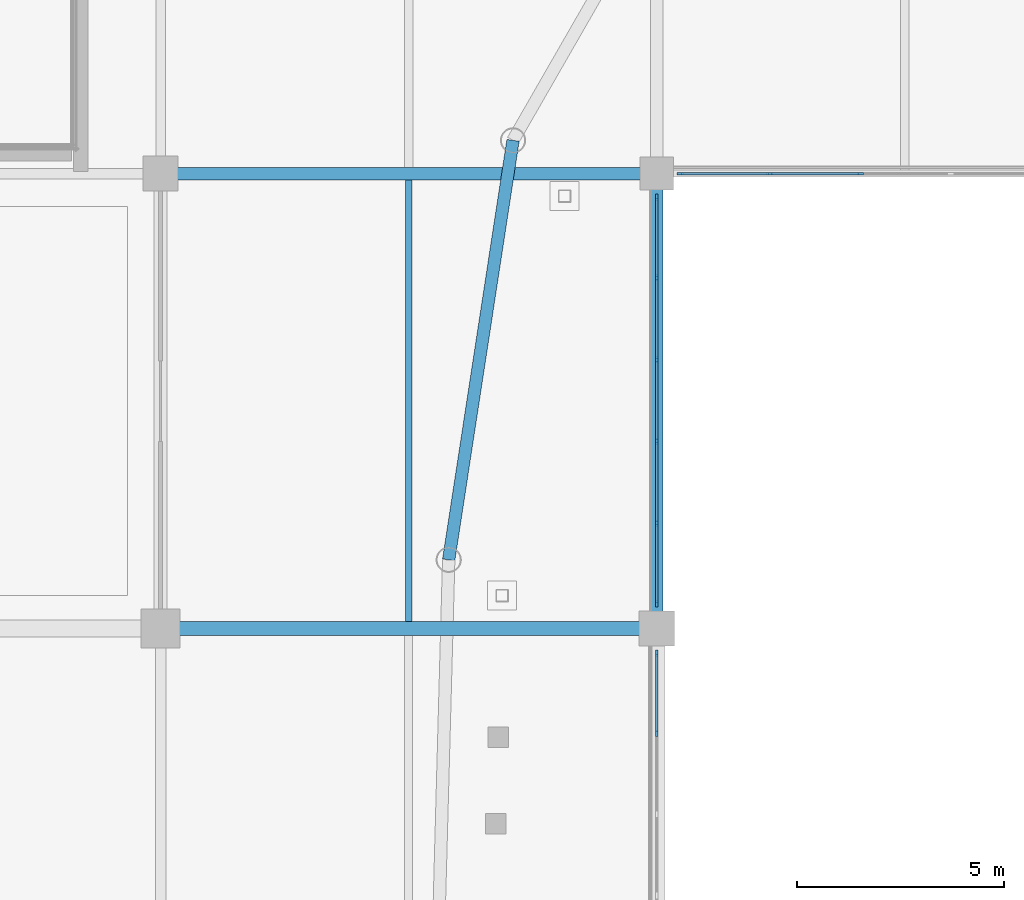
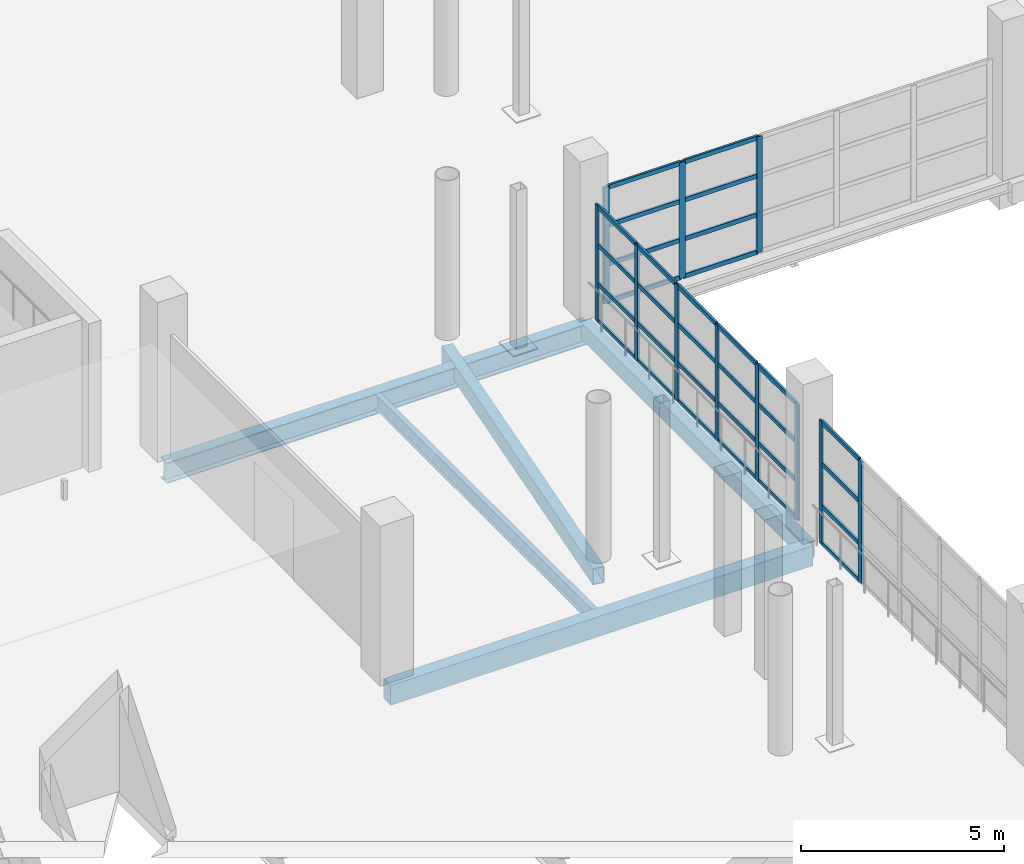
# One storey, part 41 of 143: 43 members, 5 beams, 3 elements without a shape of their own.
"""IFC4 building model written with IfcOpenShell, lengths in metres."""

from ifc_helpers import new_model, si_unit, direction, frame, origin, origin_2d, place, context, subcontext, project, spatial, rectangle, hollow_rectangle, i_section, extrude, material, material_profile, profile_set, type_object, element, aggregate, save


model = new_model("IFC4")

# Units and contexts
model_context = context("Model", 3, precision=1e-05, world=origin(), true_north=direction((0.0, 1.0)))
body_context = subcontext(model_context, "Body", "Model", "MODEL_VIEW")
ifc_project = project(units=[si_unit("LENGTHUNIT", "METRE"), si_unit("AREAUNIT", "SQUARE_METRE"), si_unit("VOLUMEUNIT", "CUBIC_METRE"), si_unit("PLANEANGLEUNIT", "RADIAN"), si_unit("MASSUNIT", "GRAM", prefix="KILO")], contexts=[model_context])

# Site, building, storey
site_placement = place(None, origin())
site = spatial("IfcSite", under=ifc_project, at=site_placement, CompositionType="ELEMENT")
building_placement = place(site_placement, origin())
building = spatial("IfcBuilding", under=site, at=building_placement, Name="Luwafu Chhajja Arena", CompositionType="ELEMENT")
storey_placement = place(building_placement, frame((0.0, 0.0, 5.39990234375)))
storey = spatial("IfcBuildingStorey", under=building, at=storey_placement, Name="L01", CompositionType="ELEMENT", Elevation=5.39990234375)

# Beam
ifc_material_1 = material(Name="Concrete C35/45", Category="concrete")
ifc_material_profile_1 = material_profile(ifc_material_1, rectangle(XDim=0.35009765625, YDim=0.60009765625, at=origin_2d()), Name="RC 350x600")
ifc_profile_set_1 = profile_set([ifc_material_profile_1], Name="Concrete C35/45")
beam_type_1 = type_object("IfcBeamType", Name="Arcade Tie Beam RC 350x600", PredefinedType="BEAM", material=ifc_profile_set_1)
beam_1_placement = place(storey_placement, frame((46.0, 66.0, -0.6298828125), z_axis=(1.0, 0.0, 0.0), x_axis=(0.0, 1.0, 0.0)))
element("IfcBeam", 1, at=beam_1_placement, inside=storey, type_object=beam_type_1, Name="L01 Grid Beam 5-6/G", PredefinedType="BEAM", context=body_context, shape_type="SweptSolid", body=[
    extrude(rectangle(XDim=0.35009765625, YDim=0.60009765625, at=origin_2d()), origin(), (0.0, 0.0, 1.0), 12.0),
])

# Curtain wall, members
ifc_material_2 = material(Name="Anodised bronze aluminium", Category="aluminium")
curtain_wall_type = type_object("IfcCurtainWallType", Name="Bowl Concourse Chord Curtain Wall", PredefinedType="USERDEFINED", material=ifc_material_2)
curtain_wall_1_placement = place(storey_placement, origin())
curtain_wall_1 = element("IfcCurtainWall", 2, at=curtain_wall_1_placement, inside=storey, type_object=curtain_wall_type, Name="L01 Bowl Viewing Curtain Wall CWR-L01-08", ObjectType="CURTAIN WALL", PredefinedType="USERDEFINED")
ifc_material_profile_2 = material_profile(ifc_material_2, rectangle(XDim=0.06005859375, YDim=0.159912109375, at=origin_2d()), Name="CWM 60x160")
ifc_profile_set_2 = profile_set([ifc_material_profile_2], Name="Anodised bronze aluminium")
member_type_1 = type_object("IfcMemberType", Name="Bronze Curtain Wall Mullion 60x160", PredefinedType="MULLION", material=ifc_profile_set_2)
member_1_placement = place(storey_placement, frame((58.570068359375, 77.0, 0.0), z_axis=(0.0, 0.0, 1.0), x_axis=(0.0, 1.0, 0.0)))
member_1 = element("IfcMember", 3, at=member_1_placement, type_object=member_type_1, Name="CW-01 mullion 1", PredefinedType="MULLION", context=body_context, shape_type="SweptSolid", body=[
    extrude(rectangle(XDim=0.06005859375, YDim=0.159912109375, at=origin_2d()), origin(), (0.0, 0.0, 1.0), 3.489990234375),
])
member_2_placement = place(storey_placement, frame((60.72900390625, 77.0, 0.0), z_axis=(0.0, 0.0, 1.0), x_axis=(0.0, 1.0, 0.0)))
member_2 = element("IfcMember", 4, at=member_2_placement, type_object=member_type_1, Name="CW-01 mullion 2", PredefinedType="MULLION", context=body_context, shape_type="SweptSolid", body=[
    extrude(rectangle(XDim=0.06005859375, YDim=0.159912109375, at=origin_2d()), origin(), (0.0, 0.0, 1.0), 3.489990234375),
])
member_3_placement = place(storey_placement, frame((62.91796875, 77.0, 0.0), z_axis=(0.0, 0.0, 1.0), x_axis=(0.0, 1.0, 0.0)))
member_3 = element("IfcMember", 5, at=member_3_placement, type_object=member_type_1, Name="CW-01 mullion 3", PredefinedType="MULLION", context=body_context, shape_type="SweptSolid", body=[
    extrude(rectangle(XDim=0.06005859375, YDim=0.159912109375, at=origin_2d()), origin(), (0.0, 0.0, 1.0), 3.489990234375),
])

curtain_wall_2_placement = place(storey_placement, origin())
curtain_wall_2 = element("IfcCurtainWall", 6, at=curtain_wall_2_placement, inside=storey, type_object=curtain_wall_type, Name="L01 Bowl Viewing Curtain Wall CWR-L01-18", ObjectType="CURTAIN WALL", PredefinedType="USERDEFINED")
member_4_placement = place(storey_placement, frame((58.0, 63.470947265625, 0.0), z_axis=(0.0, 0.0, 1.0), x_axis=(-1.0, 0.0, 0.0)))
member_4 = element("IfcMember", 7, at=member_4_placement, type_object=member_type_1, Name="CW-01 mullion 5", PredefinedType="MULLION", context=body_context, shape_type="SweptSolid", body=[
    extrude(rectangle(XDim=0.06005859375, YDim=0.159912109375, at=origin_2d()), origin(), (0.0, 0.0, 1.0), 3.690185546875),
])
member_5_placement = place(storey_placement, frame((58.0, 65.405029296875, 0.0), z_axis=(0.0, 0.0, 1.0), x_axis=(-1.0, 0.0, 0.0)))
member_5 = element("IfcMember", 8, at=member_5_placement, type_object=member_type_1, Name="CW-01 mullion 6", PredefinedType="MULLION", context=body_context, shape_type="SweptSolid", body=[
    extrude(rectangle(XDim=0.06005859375, YDim=0.159912109375, at=origin_2d()), origin(), (0.0, 0.0, 1.0), 3.690185546875),
])

curtain_wall_3_placement = place(storey_placement, origin())
curtain_wall_3 = element("IfcCurtainWall", 9, at=curtain_wall_3_placement, inside=storey, type_object=curtain_wall_type, Name="L01 Bowl Viewing Curtain Wall CWR-L01-19", ObjectType="CURTAIN WALL", PredefinedType="USERDEFINED")
member_6_placement = place(storey_placement, frame((58.0, 66.594970703125, 0.0), z_axis=(0.0, 0.0, 1.0), x_axis=(-1.0, 0.0, 0.0)))
member_6 = element("IfcMember", 10, at=member_6_placement, type_object=member_type_1, Name="CW-01 mullion 1", PredefinedType="MULLION", context=body_context, shape_type="SweptSolid", body=[
    extrude(rectangle(XDim=0.06005859375, YDim=0.159912109375, at=origin_2d()), origin(), (0.0, 0.0, 1.0), 3.489990234375),
])
member_7_placement = place(storey_placement, frame((58.0, 68.5439453125, 0.0), z_axis=(0.0, 0.0, 1.0), x_axis=(-1.0, 0.0, 0.0)))
member_7 = element("IfcMember", 11, at=member_7_placement, type_object=member_type_1, Name="CW-01 mullion 2", PredefinedType="MULLION", context=body_context, shape_type="SweptSolid", body=[
    extrude(rectangle(XDim=0.06005859375, YDim=0.159912109375, at=origin_2d()), origin(), (0.0, 0.0, 1.0), 3.489990234375),
])
member_8_placement = place(storey_placement, frame((58.0, 70.52294921875, 0.0), z_axis=(0.0, 0.0, 1.0), x_axis=(-1.0, 0.0, 0.0)))
member_8 = element("IfcMember", 12, at=member_8_placement, type_object=member_type_1, Name="CW-01 mullion 3", PredefinedType="MULLION", context=body_context, shape_type="SweptSolid", body=[
    extrude(rectangle(XDim=0.06005859375, YDim=0.159912109375, at=origin_2d()), origin(), (0.0, 0.0, 1.0), 3.489990234375),
])
member_9_placement = place(storey_placement, frame((58.0, 72.501953125, 0.0), z_axis=(0.0, 0.0, 1.0), x_axis=(-1.0, 0.0, 0.0)))
member_9 = element("IfcMember", 13, at=member_9_placement, type_object=member_type_1, Name="CW-01 mullion 4", PredefinedType="MULLION", context=body_context, shape_type="SweptSolid", body=[
    extrude(rectangle(XDim=0.06005859375, YDim=0.159912109375, at=origin_2d()), origin(), (0.0, 0.0, 1.0), 3.489990234375),
])
member_10_placement = place(storey_placement, frame((58.0, 74.48095703125, 0.0), z_axis=(0.0, 0.0, 1.0), x_axis=(-1.0, 0.0, 0.0)))
member_10 = element("IfcMember", 14, at=member_10_placement, type_object=member_type_1, Name="CW-01 mullion 5", PredefinedType="MULLION", context=body_context, shape_type="SweptSolid", body=[
    extrude(rectangle(XDim=0.06005859375, YDim=0.159912109375, at=origin_2d()), origin(), (0.0, 0.0, 1.0), 3.489990234375),
])
member_11_placement = place(storey_placement, frame((58.0, 76.429931640625, 0.0), z_axis=(0.0, 0.0, 1.0), x_axis=(-1.0, 0.0, 0.0)))
member_11 = element("IfcMember", 15, at=member_11_placement, type_object=member_type_1, Name="CW-01 mullion 6", PredefinedType="MULLION", context=body_context, shape_type="SweptSolid", body=[
    extrude(rectangle(XDim=0.06005859375, YDim=0.159912109375, at=origin_2d()), origin(), (0.0, 0.0, 1.0), 3.489990234375),
])

# Member
ifc_material_profile_3 = material_profile(ifc_material_2, rectangle(XDim=0.06005859375, YDim=0.1298828125, at=origin_2d()), Name="CWT 60x130")
ifc_profile_set_3 = profile_set([ifc_material_profile_3], Name="Anodised bronze aluminium")
member_type_2 = type_object("IfcMemberType", Name="Bronze Curtain Wall Transom 60x130", PredefinedType="USERDEFINED", material=ifc_profile_set_3)
member_12_placement = place(storey_placement, frame((58.60009765625, 77.0, 0.030029296875), z_axis=(1.0, 0.0, 0.0), x_axis=(0.0, 1.0, 0.0)))
member_12 = element("IfcMember", 16, at=member_12_placement, type_object=member_type_2, Name="CW-01 transom 1.1", ObjectType="TRANSOM", PredefinedType="USERDEFINED", context=body_context, shape_type="SweptSolid", body=[
    extrude(rectangle(XDim=0.06005859375, YDim=0.1298828125, at=origin_2d()), origin(), (0.0, 0.0, 1.0), 2.098876953125),
])

member_13_placement = place(storey_placement, frame((58.60009765625, 77.0, 1.150146484375), z_axis=(1.0, 0.0, 0.0), x_axis=(0.0, 1.0, 0.0)))
member_13 = element("IfcMember", 17, at=member_13_placement, type_object=member_type_2, Name="CW-01 transom 1.2", ObjectType="TRANSOM", PredefinedType="USERDEFINED", context=body_context, shape_type="SweptSolid", body=[
    extrude(rectangle(XDim=0.06005859375, YDim=0.1298828125, at=origin_2d()), origin(), (0.0, 0.0, 1.0), 2.098876953125),
])

member_14_placement = place(storey_placement, frame((58.60009765625, 77.0, 2.320068359375), z_axis=(1.0, 0.0, 0.0), x_axis=(0.0, 1.0, 0.0)))
member_14 = element("IfcMember", 18, at=member_14_placement, type_object=member_type_2, Name="CW-01 transom 1.3", ObjectType="TRANSOM", PredefinedType="USERDEFINED", context=body_context, shape_type="SweptSolid", body=[
    extrude(rectangle(XDim=0.06005859375, YDim=0.1298828125, at=origin_2d()), origin(), (0.0, 0.0, 1.0), 2.098876953125),
])

member_15_placement = place(storey_placement, frame((58.60009765625, 77.0, 3.460205078125), z_axis=(1.0, 0.0, 0.0), x_axis=(0.0, 1.0, 0.0)))
member_15 = element("IfcMember", 19, at=member_15_placement, type_object=member_type_2, Name="CW-01 transom 1.4", ObjectType="TRANSOM", PredefinedType="USERDEFINED", context=body_context, shape_type="SweptSolid", body=[
    extrude(rectangle(XDim=0.06005859375, YDim=0.1298828125, at=origin_2d()), origin(), (0.0, 0.0, 1.0), 2.098876953125),
])

member_16_placement = place(storey_placement, frame((60.759033203125, 77.0, 0.030029296875), z_axis=(1.0, 0.0, 0.0), x_axis=(0.0, 1.0, 0.0)))
member_16 = element("IfcMember", 20, at=member_16_placement, type_object=member_type_2, Name="CW-01 transom 2.1", ObjectType="TRANSOM", PredefinedType="USERDEFINED", context=body_context, shape_type="SweptSolid", body=[
    extrude(rectangle(XDim=0.06005859375, YDim=0.1298828125, at=origin_2d()), origin(), (0.0, 0.0, 1.0), 2.12890625),
])

member_17_placement = place(storey_placement, frame((60.759033203125, 77.0, 1.150146484375), z_axis=(1.0, 0.0, 0.0), x_axis=(0.0, 1.0, 0.0)))
member_17 = element("IfcMember", 21, at=member_17_placement, type_object=member_type_2, Name="CW-01 transom 2.2", ObjectType="TRANSOM", PredefinedType="USERDEFINED", context=body_context, shape_type="SweptSolid", body=[
    extrude(rectangle(XDim=0.06005859375, YDim=0.1298828125, at=origin_2d()), origin(), (0.0, 0.0, 1.0), 2.12890625),
])

member_18_placement = place(storey_placement, frame((60.759033203125, 77.0, 2.320068359375), z_axis=(1.0, 0.0, 0.0), x_axis=(0.0, 1.0, 0.0)))
member_18 = element("IfcMember", 22, at=member_18_placement, type_object=member_type_2, Name="CW-01 transom 2.3", ObjectType="TRANSOM", PredefinedType="USERDEFINED", context=body_context, shape_type="SweptSolid", body=[
    extrude(rectangle(XDim=0.06005859375, YDim=0.1298828125, at=origin_2d()), origin(), (0.0, 0.0, 1.0), 2.12890625),
])

member_19_placement = place(storey_placement, frame((60.759033203125, 77.0, 3.460205078125), z_axis=(1.0, 0.0, 0.0), x_axis=(0.0, 1.0, 0.0)))
member_19 = element("IfcMember", 23, at=member_19_placement, type_object=member_type_2, Name="CW-01 transom 2.4", ObjectType="TRANSOM", PredefinedType="USERDEFINED", context=body_context, shape_type="SweptSolid", body=[
    extrude(rectangle(XDim=0.06005859375, YDim=0.1298828125, at=origin_2d()), origin(), (0.0, 0.0, 1.0), 2.12890625),
])

aggregate(curtain_wall_1, [member_1, member_2, member_3, member_12, member_13, member_14, member_15, member_16, member_17, member_18, member_19])

member_20_placement = place(storey_placement, frame((58.0, 63.5009765625, 0.030029296875), z_axis=(0.0, 1.0, 0.0), x_axis=(-1.0, 0.0, 0.0)))
member_20 = element("IfcMember", 24, at=member_20_placement, type_object=member_type_2, Name="CW-01 transom 5.1", ObjectType="TRANSOM", PredefinedType="USERDEFINED", context=body_context, shape_type="SweptSolid", body=[
    extrude(rectangle(XDim=0.06005859375, YDim=0.1298828125, at=origin_2d()), origin(), (0.0, 0.0, 1.0), 1.8740234375),
])

member_21_placement = place(storey_placement, frame((58.0, 63.5009765625, 1.150146484375), z_axis=(0.0, 1.0, 0.0), x_axis=(-1.0, 0.0, 0.0)))
member_21 = element("IfcMember", 25, at=member_21_placement, type_object=member_type_2, Name="CW-01 transom 5.2", ObjectType="TRANSOM", PredefinedType="USERDEFINED", context=body_context, shape_type="SweptSolid", body=[
    extrude(rectangle(XDim=0.06005859375, YDim=0.1298828125, at=origin_2d()), origin(), (0.0, 0.0, 1.0), 1.8740234375),
])

member_22_placement = place(storey_placement, frame((58.0, 63.5009765625, 2.420166015625), z_axis=(0.0, 1.0, 0.0), x_axis=(-1.0, 0.0, 0.0)))
member_22 = element("IfcMember", 26, at=member_22_placement, type_object=member_type_2, Name="CW-01 transom 5.3", ObjectType="TRANSOM", PredefinedType="USERDEFINED", context=body_context, shape_type="SweptSolid", body=[
    extrude(rectangle(XDim=0.06005859375, YDim=0.1298828125, at=origin_2d()), origin(), (0.0, 0.0, 1.0), 1.8740234375),
])

member_23_placement = place(storey_placement, frame((58.0, 63.5009765625, 3.66015625), z_axis=(0.0, 1.0, 0.0), x_axis=(-1.0, 0.0, 0.0)))
member_23 = element("IfcMember", 27, at=member_23_placement, type_object=member_type_2, Name="CW-01 transom 5.4", ObjectType="TRANSOM", PredefinedType="USERDEFINED", context=body_context, shape_type="SweptSolid", body=[
    extrude(rectangle(XDim=0.06005859375, YDim=0.1298828125, at=origin_2d()), origin(), (0.0, 0.0, 1.0), 1.8740234375),
])

aggregate(curtain_wall_2, [member_4, member_5, member_20, member_21, member_22, member_23])

member_24_placement = place(storey_placement, frame((58.0, 66.625, 0.030029296875), z_axis=(0.0, 1.0, 0.0), x_axis=(-1.0, 0.0, 0.0)))
member_24 = element("IfcMember", 28, at=member_24_placement, type_object=member_type_2, Name="CW-01 transom 1.1", ObjectType="TRANSOM", PredefinedType="USERDEFINED", context=body_context, shape_type="SweptSolid", body=[
    extrude(rectangle(XDim=0.06005859375, YDim=0.1298828125, at=origin_2d()), origin(), (0.0, 0.0, 1.0), 1.888916015625),
])

member_25_placement = place(storey_placement, frame((58.0, 66.625, 1.150146484375), z_axis=(0.0, 1.0, 0.0), x_axis=(-1.0, 0.0, 0.0)))
member_25 = element("IfcMember", 29, at=member_25_placement, type_object=member_type_2, Name="CW-01 transom 1.2", ObjectType="TRANSOM", PredefinedType="USERDEFINED", context=body_context, shape_type="SweptSolid", body=[
    extrude(rectangle(XDim=0.06005859375, YDim=0.1298828125, at=origin_2d()), origin(), (0.0, 0.0, 1.0), 1.888916015625),
])

member_26_placement = place(storey_placement, frame((58.0, 66.625, 2.320068359375), z_axis=(0.0, 1.0, 0.0), x_axis=(-1.0, 0.0, 0.0)))
member_26 = element("IfcMember", 30, at=member_26_placement, type_object=member_type_2, Name="CW-01 transom 1.3", ObjectType="TRANSOM", PredefinedType="USERDEFINED", context=body_context, shape_type="SweptSolid", body=[
    extrude(rectangle(XDim=0.06005859375, YDim=0.1298828125, at=origin_2d()), origin(), (0.0, 0.0, 1.0), 1.888916015625),
])

member_27_placement = place(storey_placement, frame((58.0, 66.625, 3.460205078125), z_axis=(0.0, 1.0, 0.0), x_axis=(-1.0, 0.0, 0.0)))
member_27 = element("IfcMember", 31, at=member_27_placement, type_object=member_type_2, Name="CW-01 transom 1.4", ObjectType="TRANSOM", PredefinedType="USERDEFINED", context=body_context, shape_type="SweptSolid", body=[
    extrude(rectangle(XDim=0.06005859375, YDim=0.1298828125, at=origin_2d()), origin(), (0.0, 0.0, 1.0), 1.888916015625),
])

member_28_placement = place(storey_placement, frame((58.0, 68.573974609375, 0.030029296875), z_axis=(0.0, 1.0, 0.0), x_axis=(-1.0, 0.0, 0.0)))
member_28 = element("IfcMember", 32, at=member_28_placement, type_object=member_type_2, Name="CW-01 transom 2.1", ObjectType="TRANSOM", PredefinedType="USERDEFINED", context=body_context, shape_type="SweptSolid", body=[
    extrude(rectangle(XDim=0.06005859375, YDim=0.1298828125, at=origin_2d()), origin(), (0.0, 0.0, 1.0), 1.9189453125),
])

member_29_placement = place(storey_placement, frame((58.0, 68.573974609375, 1.150146484375), z_axis=(0.0, 1.0, 0.0), x_axis=(-1.0, 0.0, 0.0)))
member_29 = element("IfcMember", 33, at=member_29_placement, type_object=member_type_2, Name="CW-01 transom 2.2", ObjectType="TRANSOM", PredefinedType="USERDEFINED", context=body_context, shape_type="SweptSolid", body=[
    extrude(rectangle(XDim=0.06005859375, YDim=0.1298828125, at=origin_2d()), origin(), (0.0, 0.0, 1.0), 1.9189453125),
])

member_30_placement = place(storey_placement, frame((58.0, 68.573974609375, 2.320068359375), z_axis=(0.0, 1.0, 0.0), x_axis=(-1.0, 0.0, 0.0)))
member_30 = element("IfcMember", 34, at=member_30_placement, type_object=member_type_2, Name="CW-01 transom 2.3", ObjectType="TRANSOM", PredefinedType="USERDEFINED", context=body_context, shape_type="SweptSolid", body=[
    extrude(rectangle(XDim=0.06005859375, YDim=0.1298828125, at=origin_2d()), origin(), (0.0, 0.0, 1.0), 1.9189453125),
])

member_31_placement = place(storey_placement, frame((58.0, 68.573974609375, 3.460205078125), z_axis=(0.0, 1.0, 0.0), x_axis=(-1.0, 0.0, 0.0)))
member_31 = element("IfcMember", 35, at=member_31_placement, type_object=member_type_2, Name="CW-01 transom 2.4", ObjectType="TRANSOM", PredefinedType="USERDEFINED", context=body_context, shape_type="SweptSolid", body=[
    extrude(rectangle(XDim=0.06005859375, YDim=0.1298828125, at=origin_2d()), origin(), (0.0, 0.0, 1.0), 1.9189453125),
])

member_32_placement = place(storey_placement, frame((58.0, 70.552978515625, 0.030029296875), z_axis=(0.0, 1.0, 0.0), x_axis=(-1.0, 0.0, 0.0)))
member_32 = element("IfcMember", 36, at=member_32_placement, type_object=member_type_2, Name="CW-01 transom 3.1", ObjectType="TRANSOM", PredefinedType="USERDEFINED", context=body_context, shape_type="SweptSolid", body=[
    extrude(rectangle(XDim=0.06005859375, YDim=0.1298828125, at=origin_2d()), origin(), (0.0, 0.0, 1.0), 1.9189453125),
])

member_33_placement = place(storey_placement, frame((58.0, 70.552978515625, 1.150146484375), z_axis=(0.0, 1.0, 0.0), x_axis=(-1.0, 0.0, 0.0)))
member_33 = element("IfcMember", 37, at=member_33_placement, type_object=member_type_2, Name="CW-01 transom 3.2", ObjectType="TRANSOM", PredefinedType="USERDEFINED", context=body_context, shape_type="SweptSolid", body=[
    extrude(rectangle(XDim=0.06005859375, YDim=0.1298828125, at=origin_2d()), origin(), (0.0, 0.0, 1.0), 1.9189453125),
])

member_34_placement = place(storey_placement, frame((58.0, 70.552978515625, 2.320068359375), z_axis=(0.0, 1.0, 0.0), x_axis=(-1.0, 0.0, 0.0)))
member_34 = element("IfcMember", 38, at=member_34_placement, type_object=member_type_2, Name="CW-01 transom 3.3", ObjectType="TRANSOM", PredefinedType="USERDEFINED", context=body_context, shape_type="SweptSolid", body=[
    extrude(rectangle(XDim=0.06005859375, YDim=0.1298828125, at=origin_2d()), origin(), (0.0, 0.0, 1.0), 1.9189453125),
])

member_35_placement = place(storey_placement, frame((58.0, 70.552978515625, 3.460205078125), z_axis=(0.0, 1.0, 0.0), x_axis=(-1.0, 0.0, 0.0)))
member_35 = element("IfcMember", 39, at=member_35_placement, type_object=member_type_2, Name="CW-01 transom 3.4", ObjectType="TRANSOM", PredefinedType="USERDEFINED", context=body_context, shape_type="SweptSolid", body=[
    extrude(rectangle(XDim=0.06005859375, YDim=0.1298828125, at=origin_2d()), origin(), (0.0, 0.0, 1.0), 1.9189453125),
])

member_36_placement = place(storey_placement, frame((58.0, 72.531982421875, 0.030029296875), z_axis=(0.0, 1.0, 0.0), x_axis=(-1.0, 0.0, 0.0)))
member_36 = element("IfcMember", 40, at=member_36_placement, type_object=member_type_2, Name="CW-01 transom 4.1", ObjectType="TRANSOM", PredefinedType="USERDEFINED", context=body_context, shape_type="SweptSolid", body=[
    extrude(rectangle(XDim=0.06005859375, YDim=0.1298828125, at=origin_2d()), origin(), (0.0, 0.0, 1.0), 1.9189453125),
])

member_37_placement = place(storey_placement, frame((58.0, 72.531982421875, 1.150146484375), z_axis=(0.0, 1.0, 0.0), x_axis=(-1.0, 0.0, 0.0)))
member_37 = element("IfcMember", 41, at=member_37_placement, type_object=member_type_2, Name="CW-01 transom 4.2", ObjectType="TRANSOM", PredefinedType="USERDEFINED", context=body_context, shape_type="SweptSolid", body=[
    extrude(rectangle(XDim=0.06005859375, YDim=0.1298828125, at=origin_2d()), origin(), (0.0, 0.0, 1.0), 1.9189453125),
])

member_38_placement = place(storey_placement, frame((58.0, 72.531982421875, 2.320068359375), z_axis=(0.0, 1.0, 0.0), x_axis=(-1.0, 0.0, 0.0)))
member_38 = element("IfcMember", 42, at=member_38_placement, type_object=member_type_2, Name="CW-01 transom 4.3", ObjectType="TRANSOM", PredefinedType="USERDEFINED", context=body_context, shape_type="SweptSolid", body=[
    extrude(rectangle(XDim=0.06005859375, YDim=0.1298828125, at=origin_2d()), origin(), (0.0, 0.0, 1.0), 1.9189453125),
])

member_39_placement = place(storey_placement, frame((58.0, 72.531982421875, 3.460205078125), z_axis=(0.0, 1.0, 0.0), x_axis=(-1.0, 0.0, 0.0)))
member_39 = element("IfcMember", 43, at=member_39_placement, type_object=member_type_2, Name="CW-01 transom 4.4", ObjectType="TRANSOM", PredefinedType="USERDEFINED", context=body_context, shape_type="SweptSolid", body=[
    extrude(rectangle(XDim=0.06005859375, YDim=0.1298828125, at=origin_2d()), origin(), (0.0, 0.0, 1.0), 1.9189453125),
])

member_40_placement = place(storey_placement, frame((58.0, 74.510986328125, 0.030029296875), z_axis=(0.0, 1.0, 0.0), x_axis=(-1.0, 0.0, 0.0)))
member_40 = element("IfcMember", 44, at=member_40_placement, type_object=member_type_2, Name="CW-01 transom 5.1", ObjectType="TRANSOM", PredefinedType="USERDEFINED", context=body_context, shape_type="SweptSolid", body=[
    extrude(rectangle(XDim=0.06005859375, YDim=0.1298828125, at=origin_2d()), origin(), (0.0, 0.0, 1.0), 1.888916015625),
])

member_41_placement = place(storey_placement, frame((58.0, 74.510986328125, 1.150146484375), z_axis=(0.0, 1.0, 0.0), x_axis=(-1.0, 0.0, 0.0)))
member_41 = element("IfcMember", 45, at=member_41_placement, type_object=member_type_2, Name="CW-01 transom 5.2", ObjectType="TRANSOM", PredefinedType="USERDEFINED", context=body_context, shape_type="SweptSolid", body=[
    extrude(rectangle(XDim=0.06005859375, YDim=0.1298828125, at=origin_2d()), origin(), (0.0, 0.0, 1.0), 1.888916015625),
])

member_42_placement = place(storey_placement, frame((58.0, 74.510986328125, 2.320068359375), z_axis=(0.0, 1.0, 0.0), x_axis=(-1.0, 0.0, 0.0)))
member_42 = element("IfcMember", 46, at=member_42_placement, type_object=member_type_2, Name="CW-01 transom 5.3", ObjectType="TRANSOM", PredefinedType="USERDEFINED", context=body_context, shape_type="SweptSolid", body=[
    extrude(rectangle(XDim=0.06005859375, YDim=0.1298828125, at=origin_2d()), origin(), (0.0, 0.0, 1.0), 1.888916015625),
])

member_43_placement = place(storey_placement, frame((58.0, 74.510986328125, 3.460205078125), z_axis=(0.0, 1.0, 0.0), x_axis=(-1.0, 0.0, 0.0)))
member_43 = element("IfcMember", 47, at=member_43_placement, type_object=member_type_2, Name="CW-01 transom 5.4", ObjectType="TRANSOM", PredefinedType="USERDEFINED", context=body_context, shape_type="SweptSolid", body=[
    extrude(rectangle(XDim=0.06005859375, YDim=0.1298828125, at=origin_2d()), origin(), (0.0, 0.0, 1.0), 1.888916015625),
])

aggregate(curtain_wall_3, [member_6, member_7, member_8, member_9, member_10, member_11, member_24, member_25, member_26, member_27, member_28, member_29, member_30, member_31, member_32, member_33, member_34, member_35, member_36, member_37, member_38, member_39, member_40, member_41, member_42, member_43])

# Beams
ifc_material_3 = material(Name="Steel S355", Category="steel")
ifc_material_profile_4 = material_profile(ifc_material_3, i_section(OverallWidth=0.15283203125, OverallDepth=0.45458984375, WebThickness=0.008056640625, FlangeThickness=0.01318359375, at=origin_2d()), Name="UB 457x152x60")
ifc_profile_set_4 = profile_set([ifc_material_profile_4], Name="Steel S355")
beam_type_2 = type_object("IfcBeamType", Name="Floor Joist UB 457x152x60", PredefinedType="JOIST", material=ifc_profile_set_4)
beam_2_placement = place(storey_placement, frame((52.0, 66.175048828125, -0.55712890625), z_axis=(0.0, 1.0, 0.0), x_axis=(-1.0, 0.0, 0.0)))
element("IfcBeam", 48, at=beam_2_placement, inside=storey, type_object=beam_type_2, Name="L01 Secondary Joist 5-6/G", PredefinedType="JOIST", context=body_context, shape_type="SweptSolid", body=[
    extrude(i_section(OverallWidth=0.15283203125, OverallDepth=0.45458984375, WebThickness=0.008056640625, FlangeThickness=0.01318359375, at=origin_2d()), origin(), (0.0, 0.0, 1.0), 10.67138671875),
])
ifc_material_profile_5 = material_profile(ifc_material_3, hollow_rectangle(XDim=0.300048828125, YDim=0.5, WallThickness=0.02001953125, at=origin_2d()), Name="RHS 500x300x20")
ifc_profile_set_5 = profile_set([ifc_material_profile_5], Name="Steel S355")
beam_type_3 = type_object("IfcBeamType", Name="Pleated Drum Spandrel Beam RHS 500x300", PredefinedType="SPANDREL", material=ifc_profile_set_5)
beam_3_placement = place(storey_placement, frame((58.0, 66.0, -0.579833984375), z_axis=(0.0, 1.0, 0.0), x_axis=(-1.0, 0.0, 0.0)))
element("IfcBeam", 49, at=beam_3_placement, inside=storey, type_object=beam_type_3, Name="L01 Grid Beam 6/G-H", PredefinedType="SPANDREL", context=body_context, shape_type="SweptSolid", body=[
    extrude(hollow_rectangle(XDim=0.300048828125, YDim=0.5, WallThickness=0.02001953125, at=origin_2d()), origin(), (0.0, 0.0, 1.0), 11.0),
])
beam_4_placement = place(storey_placement, frame((54.52392578125, 77.805908203125, -0.579833984375), z_axis=(-0.1515977802, -0.988442265911, 0.0), x_axis=(0.988442265911, -0.1515977802, 0.0)))
element("IfcBeam", 50, at=beam_4_placement, inside=storey, type_object=beam_type_3, Name="L01 Drum Ring Spandrel D14-D15", PredefinedType="SPANDREL", context=body_context, shape_type="SweptSolid", body=[
    extrude(hollow_rectangle(XDim=0.300048828125, YDim=0.5, WallThickness=0.02001953125, at=origin_2d()), origin(), (0.0, 0.0, 1.0), 10.263427734375),
])
ifc_material_profile_6 = material_profile(ifc_material_3, i_section(OverallWidth=0.30712890625, OverallDepth=0.6201171875, WebThickness=0.01416015625, FlangeThickness=0.023681640625, at=origin_2d()), Name="UB 610x305x179")
ifc_profile_set_6 = profile_set([ifc_material_profile_6], Name="Steel S355")
beam_type_4 = type_object("IfcBeamType", Name="Steel Hospitality Girder UB 610x305x179", PredefinedType="BEAM", material=ifc_profile_set_6)
beam_5_placement = place(storey_placement, frame((46.0, 77.0, -0.639892578125), z_axis=(1.0, 0.0, 0.0), x_axis=(0.0, 1.0, 0.0)))
element("IfcBeam", 51, at=beam_5_placement, inside=storey, type_object=beam_type_4, Name="L01 Grid Beam 5-6/H", PredefinedType="BEAM", context=body_context, shape_type="SweptSolid", body=[
    extrude(i_section(OverallWidth=0.30712890625, OverallDepth=0.6201171875, WebThickness=0.01416015625, FlangeThickness=0.023681640625, at=origin_2d()), origin(), (0.0, 0.0, 1.0), 12.0),
])

save(model, "model.ifc")
